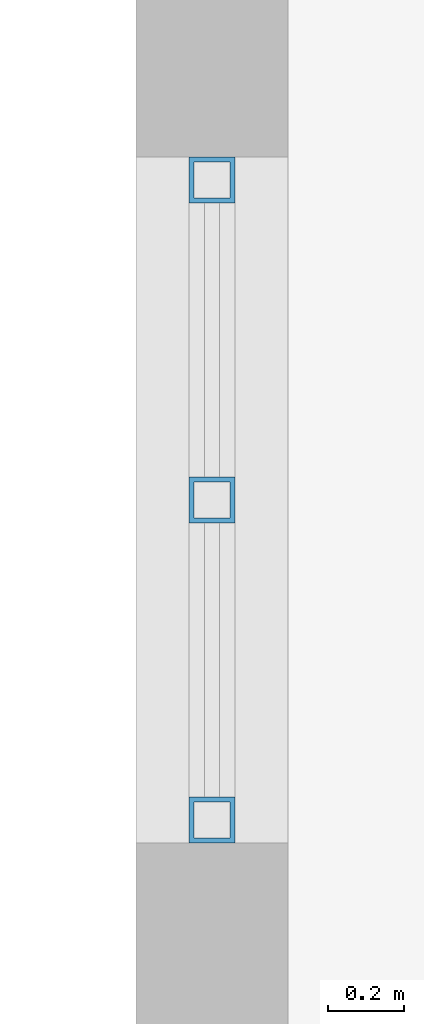
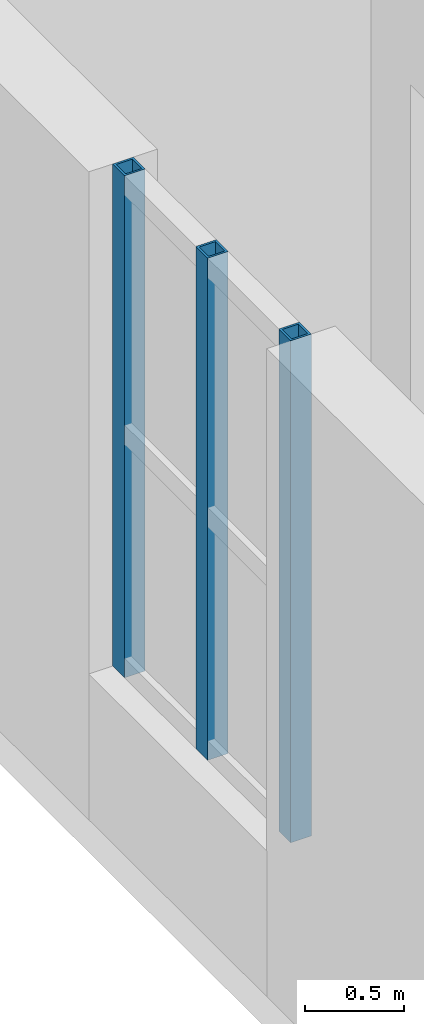
# One storey, part 39 of 154: 3 members, 1 element without a shape of its own.
"""IFC4 building model written with IfcOpenShell, lengths in metres."""

from ifc_helpers import new_model, si_unit, direction, frame, origin, origin_2d, place, context, subcontext, project, spatial, hollow_rectangle, extrude, material, material_profile, profile_set, type_object, element, aggregate, save


model = new_model("IFC4")

# Units and contexts
model_context = context("Model", 3, precision=1e-05, world=origin(), true_north=direction((0.0, 1.0)))
body_context = subcontext(model_context, "Body", "Model", "MODEL_VIEW")
ifc_project = project(units=[si_unit("LENGTHUNIT", "METRE"), si_unit("AREAUNIT", "SQUARE_METRE"), si_unit("VOLUMEUNIT", "CUBIC_METRE"), si_unit("PLANEANGLEUNIT", "RADIAN"), si_unit("MASSUNIT", "GRAM", prefix="KILO")], contexts=[model_context])

# Site, building, storey
site_placement = place(None, origin())
site = spatial("IfcSite", under=ifc_project, at=site_placement, CompositionType="ELEMENT")
building_placement = place(site_placement, origin())
building = spatial("IfcBuilding", under=site, at=building_placement, Name="Golden Quay Civic Hall", CompositionType="ELEMENT")
storey_placement = place(building_placement, frame((0.0, 0.0, 14.39990234375)))
storey = spatial("IfcBuildingStorey", under=building, at=storey_placement, Name="L03", CompositionType="ELEMENT", Elevation=14.39990234375)

# Curtain wall, members
ifc_material_1 = material(Name="Fire-resisting glass and steel", Category="steel")
curtain_wall_type = type_object("IfcCurtainWallType", Name="Fire-resisting glazed stair curtain wall EI 120", PredefinedType="NOTDEFINED", material=ifc_material_1)
curtain_wall_placement = place(storey_placement, origin())
curtain_wall = element("IfcCurtainWall", 1, at=curtain_wall_placement, inside=storey, type_object=curtain_wall_type, Name="CW4 stair curtain wall", PredefinedType="NOTDEFINED")
ifc_material_2 = material(Name="Steel S355", Category="steel")
ifc_material_profile = material_profile(ifc_material_2, hollow_rectangle(XDim=0.1201171875, YDim=0.1201171875, WallThickness=0.012451171875, at=origin_2d()), Name="SHS 120x120x12.5")
ifc_profile_set = profile_set([ifc_material_profile], Name="Steel S355")
member_type = type_object("IfcMemberType", Name="Fire-resisting steel stair mullion 120 x 120", PredefinedType="MULLION", material=ifc_profile_set)
member_1_placement = place(storey_placement, frame((63.0, 103.4599609375, 0.900146484375), z_axis=(0.0, 0.0, 1.0), x_axis=(-1.0, 0.0, 0.0)))
member_1 = element("IfcMember", 2, at=member_1_placement, type_object=member_type, Name="CW4 mullion 1", PredefinedType="MULLION", context=body_context, shape_type="SweptSolid", body=[
    extrude(hollow_rectangle(XDim=0.1201171875, YDim=0.1201171875, WallThickness=0.012451171875, at=origin_2d()), origin(), (0.0, 0.0, 1.0), 3.099853515625),
])
member_2_placement = place(storey_placement, frame((63.0, 104.300048828125, 0.900146484375), z_axis=(0.0, 0.0, 1.0), x_axis=(-1.0, 0.0, 0.0)))
member_2 = element("IfcMember", 3, at=member_2_placement, type_object=member_type, Name="CW4 mullion 2", PredefinedType="MULLION", context=body_context, shape_type="SweptSolid", body=[
    extrude(hollow_rectangle(XDim=0.1201171875, YDim=0.1201171875, WallThickness=0.012451171875, at=origin_2d()), origin(), (0.0, 0.0, 1.0), 3.099853515625),
])
member_3_placement = place(storey_placement, frame((63.0, 105.139892578125, 0.900146484375), z_axis=(0.0, 0.0, 1.0), x_axis=(-1.0, 0.0, 0.0)))
member_3 = element("IfcMember", 4, at=member_3_placement, type_object=member_type, Name="CW4 mullion 3", PredefinedType="MULLION", context=body_context, shape_type="SweptSolid", body=[
    extrude(hollow_rectangle(XDim=0.1201171875, YDim=0.1201171875, WallThickness=0.012451171875, at=origin_2d()), origin(), (0.0, 0.0, 1.0), 3.099853515625),
])
aggregate(curtain_wall, [member_1, member_2, member_3])

save(model, "model.ifc")
